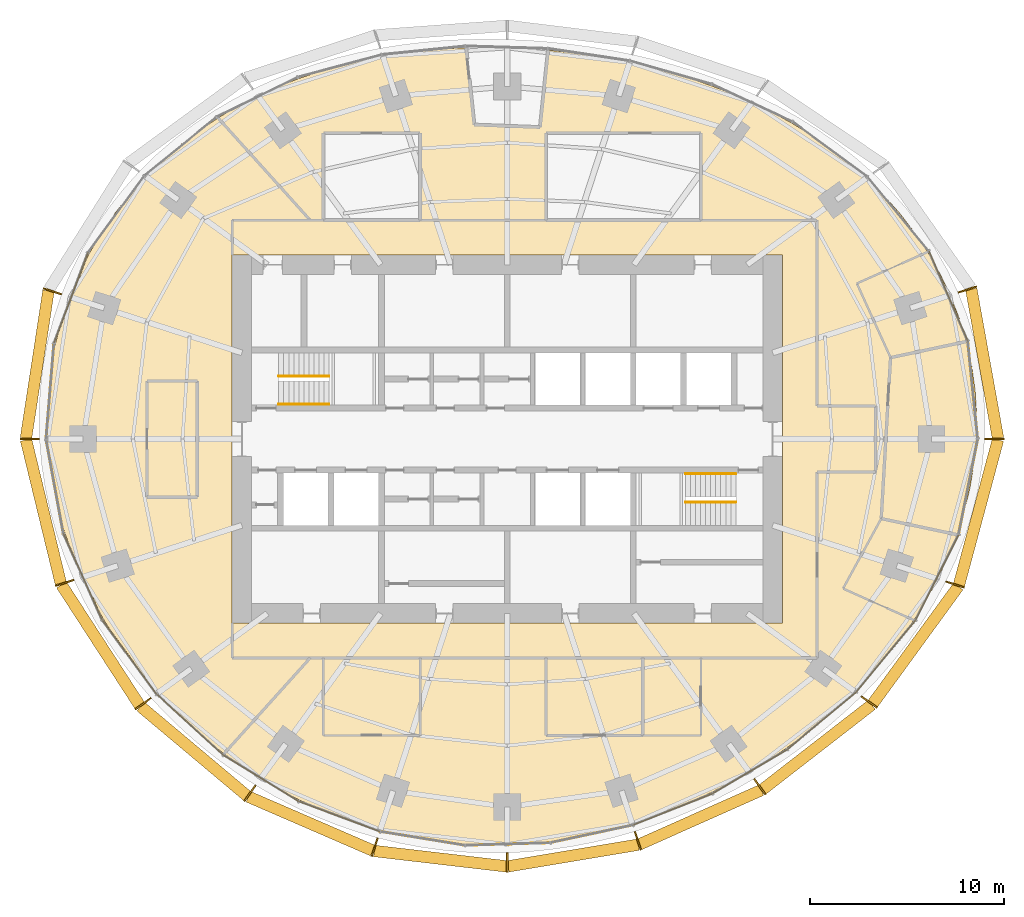
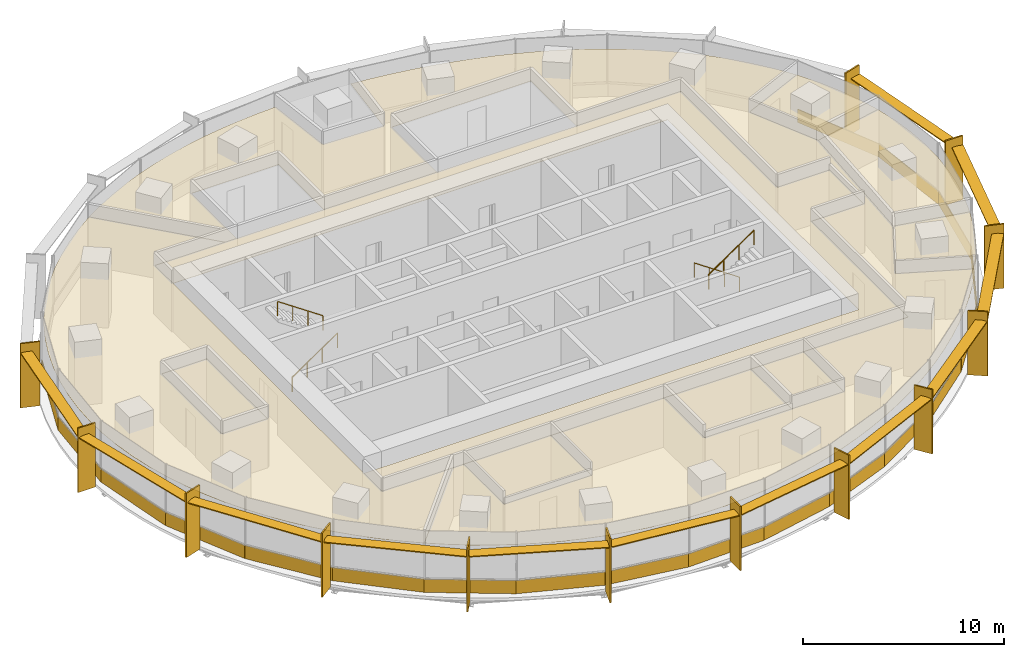
# One storey, part 14 of 15: 29 coverings, 25 shading devices, 4 railings.
"""IFC4 building model written with IfcOpenShell, lengths in metres."""

from ifc_helpers import new_model, si_unit, direction, frame, origin, origin_2d, place, context, subcontext, project, spatial, polyline, rectangle, circle, outline, extrude, material, layer, layer_set, type_object, element, save


model = new_model("IFC4")

# Units and contexts
model_context = context("Model", 3, precision=1e-05, world=origin(), true_north=direction((0.0, 1.0)))
body_context = subcontext(model_context, "Body", "Model", "MODEL_VIEW")
ifc_project = project(units=[si_unit("LENGTHUNIT", "METRE"), si_unit("AREAUNIT", "SQUARE_METRE"), si_unit("VOLUMEUNIT", "CUBIC_METRE"), si_unit("PLANEANGLEUNIT", "RADIAN"), si_unit("MASSUNIT", "GRAM", prefix="KILO")], contexts=[model_context])

# Site, building, storey
site_placement = place(None, origin())
site = spatial("IfcSite", under=ifc_project, at=site_placement, CompositionType="ELEMENT")
building_placement = place(site_placement, origin())
building = spatial("IfcBuilding", under=site, at=building_placement, Name="Marramba Exchange Tower", CompositionType="ELEMENT")
storey_placement = place(building_placement, frame((0.0, 0.0, 207.199951171875)))
storey = spatial("IfcBuildingStorey", under=building, at=storey_placement, Name="L50", CompositionType="ELEMENT", Elevation=207.199951171875)

# Shading devices
ifc_material_1 = material(Name="Aluminium blade, timber-look bronze finish", Category="wood")
ifc_layer_1 = layer(ifc_material_1, 0.080078125)
ifc_layer_set_1 = layer_set([ifc_layer_1], Name="Floor-edge blade 1000x80")
shading_device_type_1 = type_object("IfcShadingDeviceType", Name="Floor-edge blade 1000x80", PredefinedType="USERDEFINED", material=ifc_layer_set_1)
for number, where, z_axis, x_axis, name in (
    (1, (25.14404296875, 0.0, -0.159912109375), (0.0, 0.0, 1.0), (1.0, 0.0, 0.0), "Floor-edge blade FB1 L50 TC01"),
    (2, (23.757080078125, 7.718994140625, -0.159912109375), (0.0, 0.0, 1.0), (0.951056516295, 0.309016994375, 0.0), "Floor-edge blade FB1 L50 TC02"),
    (3, (-23.488525390625, 7.6318359375, -0.159912109375), (0.0, 0.0, 1.0), (-0.951056516295, 0.309016994375, 0.0), "Floor-edge blade FB1 L50 TC10"),
    (4, (-24.656005859375, 0.0, -0.159912109375), (0.0, 0.0, 1.0), (-1.0, 0.0, 0.0), "Floor-edge blade FB1 L50 TC11"),
    (5, (-22.848876953125, -7.424072265625, -0.159912109375), (0.0, 0.0, 1.0), (-0.951056516295, -0.309016994375, 0.0), "Floor-edge blade FB1 L50 TC12"),
    (6, (-18.7998046875, -13.658935546875, -0.159912109375), (0.0, 0.0, 1.0), (-0.809016994375, -0.587785252292, 0.0), "Floor-edge blade FB1 L50 TC13"),
    (7, (-13.2841796875, -18.2841796875, -0.159912109375), (0.0, 0.0, 1.0), (-0.587785252292, -0.809016994375, 0.0), "Floor-edge blade FB1 L50 TC14"),
    (8, (-6.845703125, -21.069091796875, -0.159912109375), (0.0, 0.0, 1.0), (-0.309016994375, -0.951056516295, 0.0), "Floor-edge blade FB1 L50 TC15"),
    (9, (0.0, -21.86376953125, -0.159912109375), (0.0, 0.0, 1.0), (0.0, -1.0, 0.0), "Floor-edge blade FB1 L50 TC16"),
    (10, (6.739501953125, -20.741943359375, -0.159912109375), (0.0, 0.0, 1.0), (0.309016994375, -0.951056516295, 0.0), "Floor-edge blade FB1 L50 TC17"),
    (11, (13.0380859375, -17.9453125, -0.159912109375), (0.0, 0.0, 1.0), (0.587785252292, -0.809016994375, 0.0), "Floor-edge blade FB1 L50 TC18"),
    (12, (18.6845703125, -13.5751953125, -0.159912109375), (0.0, 0.0, 1.0), (0.809016994375, -0.587785252292, 0.0), "Floor-edge blade FB1 L50 TC19"),
    (13, (23.1171875, -7.51123046875, -0.159912109375), (0.0, 0.0, 1.0), (0.951056516295, -0.309016994375, 0.0), "Floor-edge blade FB1 L50 TC20"),
):
    element("IfcShadingDevice", number, at=place(storey_placement, frame(where, z_axis=z_axis, x_axis=x_axis)), inside=storey, type_object=shading_device_type_1, Name=name, ObjectType="FIN", PredefinedType="USERDEFINED", context=body_context, shape_type="SweptSolid", body=[
        extrude(rectangle(XDim=1.0, YDim=0.080078125, at=origin_2d()), origin(), (0.0, 0.0, 1.0), 3.89990234375),
    ])
ifc_material_2 = material(Name="Aluminium sunshade, bronze anodised", Category="aluminium")
ifc_layer_2 = layer(ifc_material_2, 0.06005859375)
ifc_layer_set_2 = layer_set([ifc_layer_2], Name="SUNSHADE blade 600x60")
shading_device_type_2 = type_object("IfcShadingDeviceType", Name="SUNSHADE blade 600x60", PredefinedType="USERDEFINED", material=ifc_layer_set_2)
shading_device_1_placement = place(storey_placement, frame((24.6455078125, 3.890380859375, 3.159912109375), z_axis=(0.0, 0.0, 1.0), x_axis=(-0.176690623809, 0.984266439262, 0.0)))
element("IfcShadingDevice", 14, at=shading_device_1_placement, inside=storey, type_object=shading_device_type_2, Name="Sunshade SS1 L50 bay 01", ObjectType="SUNSHADE", PredefinedType="USERDEFINED", context=body_context, shape_type="SweptSolid", body=[
    extrude(rectangle(XDim=7.8251953125, YDim=0.60009765625, at=origin_2d()), origin(), (0.0, 0.0, 1.0), 0.06005859375),
])
shading_device_2_placement = place(storey_placement, frame((-24.267333984375, 3.846923828125, 3.159912109375), z_axis=(0.0, 0.0, 1.0), x_axis=(-0.151240669327, -0.988496970123, 0.0)))
element("IfcShadingDevice", 15, at=shading_device_2_placement, inside=storey, type_object=shading_device_type_2, Name="Sunshade SS1 L50 bay 10", ObjectType="SUNSHADE", PredefinedType="USERDEFINED", context=body_context, shape_type="SweptSolid", body=[
    extrude(rectangle(XDim=7.703369140625, YDim=0.60009765625, at=origin_2d()), origin(), (0.0, 0.0, 1.0), 0.06005859375),
])
shading_device_3_placement = place(storey_placement, frame((-23.947509765625, -3.742919921875, 3.159912109375), z_axis=(0.0, 0.0, 1.0), x_axis=(0.235861488454, -0.971786683519, 0.0)))
element("IfcShadingDevice", 16, at=shading_device_3_placement, inside=storey, type_object=shading_device_type_2, Name="Sunshade SS1 L50 bay 11", ObjectType="SUNSHADE", PredefinedType="USERDEFINED", context=body_context, shape_type="SweptSolid", body=[
    extrude(rectangle(XDim=7.623291015625, YDim=0.60009765625, at=origin_2d()), origin(), (0.0, 0.0, 1.0), 0.06005859375),
])
shading_device_4_placement = place(storey_placement, frame((-21.000244140625, -10.631103515625, 3.159912109375), z_axis=(0.0, 0.0, 1.0), x_axis=(0.543921771105, -0.839135928749, 0.0)))
element("IfcShadingDevice", 17, at=shading_device_4_placement, inside=storey, type_object=shading_device_type_2, Name="Sunshade SS1 L50 bay 12", ObjectType="SUNSHADE", PredefinedType="USERDEFINED", context=body_context, shape_type="SweptSolid", body=[
    extrude(rectangle(XDim=7.41650390625, YDim=0.60009765625, at=origin_2d()), origin(), (0.0, 0.0, 1.0), 0.06005859375),
])
shading_device_5_placement = place(storey_placement, frame((-16.181640625, -16.111083984375, 3.159912109375), z_axis=(0.0, 0.0, 1.0), x_axis=(0.765761970568, -0.643124097225, 0.0)))
element("IfcShadingDevice", 18, at=shading_device_5_placement, inside=storey, type_object=shading_device_type_2, Name="Sunshade SS1 L50 bay 13", ObjectType="SUNSHADE", PredefinedType="USERDEFINED", context=body_context, shape_type="SweptSolid", body=[
    extrude(rectangle(XDim=7.1806640625, YDim=0.60009765625, at=origin_2d()), origin(), (0.0, 0.0, 1.0), 0.06005859375),
])
shading_device_6_placement = place(storey_placement, frame((-10.154541015625, -19.8525390625, 3.159912109375), z_axis=(0.0, 0.0, 1.0), x_axis=(0.917589256742, -0.397529817639, 0.0)))
element("IfcShadingDevice", 19, at=shading_device_6_placement, inside=storey, type_object=shading_device_type_2, Name="Sunshade SS1 L50 bay 14", ObjectType="SUNSHADE", PredefinedType="USERDEFINED", context=body_context, shape_type="SweptSolid", body=[
    extrude(rectangle(XDim=6.997314453125, YDim=0.60009765625, at=origin_2d()), origin(), (0.0, 0.0, 1.0), 0.06005859375),
])
shading_device_7_placement = place(storey_placement, frame((-3.453857421875, -21.66162109375, 3.159912109375), z_axis=(0.0, 0.0, 1.0), x_axis=(0.993288257497, -0.1156651958, 0.0)))
element("IfcShadingDevice", 20, at=shading_device_7_placement, inside=storey, type_object=shading_device_type_2, Name="Sunshade SS1 L50 bay 15", ObjectType="SUNSHADE", PredefinedType="USERDEFINED", context=body_context, shape_type="SweptSolid", body=[
    extrude(rectangle(XDim=6.874267578125, YDim=0.60009765625, at=origin_2d()), origin(), (0.0, 0.0, 1.0), 0.06005859375),
])
shading_device_8_placement = place(storey_placement, frame((3.400634765625, -21.498046875, 3.159912109375), z_axis=(0.0, 0.0, 1.0), x_axis=(0.986439622954, 0.164124557168, 0.0)))
element("IfcShadingDevice", 21, at=shading_device_8_placement, inside=storey, type_object=shading_device_type_2, Name="Sunshade SS1 L50 bay 16", ObjectType="SUNSHADE", PredefinedType="USERDEFINED", context=body_context, shape_type="SweptSolid", body=[
    extrude(rectangle(XDim=6.814697265625, YDim=0.60009765625, at=origin_2d()), origin(), (0.0, 0.0, 1.0), 0.06005859375),
])
shading_device_9_placement = place(storey_placement, frame((9.978515625, -19.519775390625, 3.159912109375), z_axis=(0.0, 0.0, 1.0), x_axis=(0.913771678576, 0.406228161792, 0.0)))
element("IfcShadingDevice", 22, at=shading_device_9_placement, inside=storey, type_object=shading_device_type_2, Name="Sunshade SS1 L50 bay 17", ObjectType="SUNSHADE", PredefinedType="USERDEFINED", context=body_context, shape_type="SweptSolid", body=[
    extrude(rectangle(XDim=6.8740234375, YDim=0.60009765625, at=origin_2d()), origin(), (0.0, 0.0, 1.0), 0.06005859375),
])
shading_device_10_placement = place(storey_placement, frame((16.0009765625, -15.89990234375, 3.159912109375), z_axis=(0.0, 0.0, 1.0), x_axis=(0.790133082515, 0.612935324414, 0.0)))
element("IfcShadingDevice", 23, at=shading_device_10_placement, inside=storey, type_object=shading_device_type_2, Name="Sunshade SS1 L50 bay 18", ObjectType="SUNSHADE", PredefinedType="USERDEFINED", context=body_context, shape_type="SweptSolid", body=[
    extrude(rectangle(XDim=7.122314453125, YDim=0.60009765625, at=origin_2d()), origin(), (0.0, 0.0, 1.0), 0.06005859375),
])
shading_device_11_placement = place(storey_placement, frame((21.076904296875, -10.6328125, 3.159912109375), z_axis=(0.0, 0.0, 1.0), x_axis=(0.589071758439, 0.808080728275, 0.0)))
element("IfcShadingDevice", 24, at=shading_device_11_placement, inside=storey, type_object=shading_device_type_2, Name="Sunshade SS1 L50 bay 19", ObjectType="SUNSHADE", PredefinedType="USERDEFINED", context=body_context, shape_type="SweptSolid", body=[
    extrude(rectangle(XDim=7.4931640625, YDim=0.60009765625, at=origin_2d()), origin(), (0.0, 0.0, 1.0), 0.06005859375),
])
shading_device_12_placement = place(storey_placement, frame((24.32568359375, -3.78662109375, 3.159912109375), z_axis=(0.0, 0.0, 1.0), x_axis=(0.259692365654, 0.965691397508, 0.0)))
element("IfcShadingDevice", 25, at=shading_device_12_placement, inside=storey, type_object=shading_device_type_2, Name="Sunshade SS1 L50 bay 20", ObjectType="SUNSHADE", PredefinedType="USERDEFINED", context=body_context, shape_type="SweptSolid", body=[
    extrude(rectangle(XDim=7.76220703125, YDim=0.60009765625, at=origin_2d()), origin(), (0.0, 0.0, 1.0), 0.06005859375),
])

# Coverings
ifc_material_3 = material(Name="Aluminium spandrel panel, bronze anodised, insulated", Category="aluminium")
ifc_layer_3 = layer(ifc_material_3, 0.050048828125)
ifc_layer_set_3 = layer_set([ifc_layer_3], Name="Spandrel panel 800")
covering_type_1 = type_object("IfcCoveringType", Name="Spandrel panel 800", PredefinedType="CLADDING", material=ifc_layer_set_3)
covering_1_placement = place(storey_placement, frame((24.036376953125, 2.527099609375, 0.0), z_axis=(0.0, 0.0, 1.0), x_axis=(-0.101422478545, 0.994843445395, 0.0)))
element("IfcCovering", 26, at=covering_1_placement, inside=storey, type_object=covering_type_1, Name="Spandrel panel SP1 L50 F01", PredefinedType="CLADDING", context=body_context, shape_type="SweptSolid", body=[
    extrude(rectangle(XDim=5.08056640625, YDim=0.050048828125, at=origin_2d()), origin(), (0.0, 0.0, 1.0), 0.800048828125),
])
covering_2_placement = place(storey_placement, frame((22.77734375, 7.374755859375, 0.0), z_axis=(0.0, 0.0, 1.0), x_axis=(-0.396193349205, 0.918167103552, 0.0)))
element("IfcCovering", 27, at=covering_2_placement, inside=storey, type_object=covering_type_1, Name="Spandrel panel SP1 L50 F02", PredefinedType="CLADDING", context=body_context, shape_type="SweptSolid", body=[
    extrude(rectangle(XDim=5.0546875, YDim=0.050048828125, at=origin_2d()), origin(), (0.0, 0.0, 1.0), 0.800048828125),
])
covering_3_placement = place(storey_placement, frame((-22.518798828125, 7.30419921875, 0.0), z_axis=(0.0, 0.0, 1.0), x_axis=(-0.351951514464, -0.936018232443, 0.0)))
element("IfcCovering", 28, at=covering_3_placement, inside=storey, type_object=covering_type_1, Name="Spandrel panel SP1 L50 F14", PredefinedType="CLADDING", context=body_context, shape_type="SweptSolid", body=[
    extrude(rectangle(XDim=4.981689453125, YDim=0.050048828125, at=origin_2d()), origin(), (0.0, 0.0, 1.0), 0.800048828125),
])
covering_4_placement = place(storey_placement, frame((-23.600830078125, 2.486328125, 0.0), z_axis=(0.0, 0.0, 1.0), x_axis=(-0.082280881776, -0.996609179415, 0.0)))
element("IfcCovering", 29, at=covering_4_placement, inside=storey, type_object=covering_type_1, Name="Spandrel panel SP1 L50 F15", PredefinedType="CLADDING", context=body_context, shape_type="SweptSolid", body=[
    extrude(rectangle(XDim=4.98974609375, YDim=0.050048828125, at=origin_2d()), origin(), (0.0, 0.0, 1.0), 0.800048828125),
])
covering_5_placement = place(storey_placement, frame((-23.359619140625, -2.43505859375, 0.0), z_axis=(0.0, 0.0, 1.0), x_axis=(0.180327442841, -0.983606635479, 0.0)))
element("IfcCovering", 30, at=covering_5_placement, inside=storey, type_object=covering_type_1, Name="Spandrel panel SP1 L50 F16", PredefinedType="CLADDING", context=body_context, shape_type="SweptSolid", body=[
    extrude(rectangle(XDim=4.951416015625, YDim=0.050048828125, at=origin_2d()), origin(), (0.0, 0.0, 1.0), 0.800048828125),
])
covering_6_placement = place(storey_placement, frame((-21.920654296875, -7.093994140625, 0.0), z_axis=(0.0, 0.0, 1.0), x_axis=(0.407557582153, -0.913179509861, 0.0)))
element("IfcCovering", 31, at=covering_6_placement, inside=storey, type_object=covering_type_1, Name="Spandrel panel SP1 L50 F17", PredefinedType="CLADDING", context=body_context, shape_type="SweptSolid", body=[
    extrude(rectangle(XDim=4.870361328125, YDim=0.050048828125, at=origin_2d()), origin(), (0.0, 0.0, 1.0), 0.800048828125),
])
covering_7_placement = place(storey_placement, frame((-19.520263671875, -11.238525390625, 0.0), z_axis=(0.0, 0.0, 1.0), x_axis=(0.591223097085, -0.80650805915, 0.0)))
element("IfcCovering", 32, at=covering_7_placement, inside=storey, type_object=covering_type_1, Name="Spandrel panel SP1 L50 F18", PredefinedType="CLADDING", context=body_context, shape_type="SweptSolid", body=[
    extrude(rectangle(XDim=4.762939453125, YDim=0.050048828125, at=origin_2d()), origin(), (0.0, 0.0, 1.0), 0.800048828125),
])
covering_8_placement = place(storey_placement, frame((-16.396240234375, -14.73193359375, 0.0), z_axis=(0.0, 0.0, 1.0), x_axis=(0.737203259599, -0.67567103981, 0.0)))
element("IfcCovering", 33, at=covering_8_placement, inside=storey, type_object=covering_type_1, Name="Spandrel panel SP1 L50 F19", PredefinedType="CLADDING", context=body_context, shape_type="SweptSolid", body=[
    extrude(rectangle(XDim=4.65478515625, YDim=0.050048828125, at=origin_2d()), origin(), (0.0, 0.0, 1.0), 0.800048828125),
])
covering_9_placement = place(storey_placement, frame((-12.73583984375, -17.497802734375, 0.0), z_axis=(0.0, 0.0, 1.0), x_axis=(0.852301010692, -0.52305161043, 0.0)))
element("IfcCovering", 34, at=covering_9_placement, inside=storey, type_object=covering_type_1, Name="Spandrel panel SP1 L50 F20", PredefinedType="CLADDING", context=body_context, shape_type="SweptSolid", body=[
    extrude(rectangle(XDim=4.563232421875, YDim=0.050048828125, at=origin_2d()), origin(), (0.0, 0.0, 1.0), 0.800048828125),
])
covering_10_placement = place(storey_placement, frame((-8.687255859375, -19.47607421875, 0.0), z_axis=(0.0, 0.0, 1.0), x_axis=(0.936951581946, -0.349459200892, 0.0)))
element("IfcCovering", 35, at=covering_10_placement, inside=storey, type_object=covering_type_1, Name="Spandrel panel SP1 L50 F21", PredefinedType="CLADDING", context=body_context, shape_type="SweptSolid", body=[
    extrude(rectangle(XDim=4.491455078125, YDim=0.050048828125, at=origin_2d()), origin(), (0.0, 0.0, 1.0), 0.800048828125),
])
covering_11_placement = place(storey_placement, frame((-4.393798828125, -20.6181640625, 0.0), z_axis=(0.0, 0.0, 1.0), x_axis=(0.98693062179, -0.161145734582, 0.0)))
element("IfcCovering", 36, at=covering_11_placement, inside=storey, type_object=covering_type_1, Name="Spandrel panel SP1 L50 F22", PredefinedType="CLADDING", context=body_context, shape_type="SweptSolid", body=[
    extrude(rectangle(XDim=4.4365234375, YDim=0.050048828125, at=origin_2d()), origin(), (0.0, 0.0, 1.0), 0.800048828125),
])
covering_12_placement = place(storey_placement, frame((-0.0068359375, -20.9111328125, 0.0), z_axis=(0.0, 0.0, 1.0), x_axis=(0.99956791932, 0.02939344597, 0.0)))
element("IfcCovering", 37, at=covering_12_placement, inside=storey, type_object=covering_type_1, Name="Spandrel panel SP1 L50 F23", PredefinedType="CLADDING", context=body_context, shape_type="SweptSolid", body=[
    extrude(rectangle(XDim=4.3974609375, YDim=0.050048828125, at=origin_2d()), origin(), (0.0, 0.0, 1.0), 0.800048828125),
])
covering_13_placement = place(storey_placement, frame((4.333984375, -20.389892578125, 0.0), z_axis=(0.0, 0.0, 1.0), x_axis=(0.978058068956, 0.208332459664, 0.0)))
element("IfcCovering", 38, at=covering_13_placement, inside=storey, type_object=covering_type_1, Name="Spandrel panel SP1 L50 F24", PredefinedType="CLADDING", context=body_context, shape_type="SweptSolid", body=[
    extrude(rectangle(XDim=4.3818359375, YDim=0.050048828125, at=origin_2d()), origin(), (0.0, 0.0, 1.0), 0.800048828125),
])
covering_14_placement = place(storey_placement, frame((8.525390625, -19.124267578125, 0.0), z_axis=(0.0, 0.0, 1.0), x_axis=(0.93007301151, 0.367374731386, 0.0)))
element("IfcCovering", 39, at=covering_14_placement, inside=storey, type_object=covering_type_1, Name="Spandrel panel SP1 L50 F25", PredefinedType="CLADDING", context=body_context, shape_type="SweptSolid", body=[
    extrude(rectangle(XDim=4.405517578125, YDim=0.050048828125, at=origin_2d()), origin(), (0.0, 0.0, 1.0), 0.800048828125),
])
covering_15_placement = place(storey_placement, frame((12.50634765625, -17.175537109375, 0.0), z_axis=(0.0, 0.0, 1.0), x_axis=(0.861350829898, 0.508010578466, 0.0)))
element("IfcCovering", 40, at=covering_15_placement, inside=storey, type_object=covering_type_1, Name="Spandrel panel SP1 L50 F26", PredefinedType="CLADDING", context=body_context, shape_type="SweptSolid", body=[
    extrude(rectangle(XDim=4.486572265625, YDim=0.050048828125, at=origin_2d()), origin(), (0.0, 0.0, 1.0), 0.800048828125),
])
covering_16_placement = place(storey_placement, frame((16.2177734375, -14.5556640625, 0.0), z_axis=(0.0, 0.0, 1.0), x_axis=(0.768736803132, 0.639565264465, 0.0)))
element("IfcCovering", 41, at=covering_16_placement, inside=storey, type_object=covering_type_1, Name="Spandrel panel SP1 L50 F27", PredefinedType="CLADDING", context=body_context, shape_type="SweptSolid", body=[
    extrude(rectangle(XDim=4.628662109375, YDim=0.050048828125, at=origin_2d()), origin(), (0.0, 0.0, 1.0), 0.800048828125),
])
covering_17_placement = place(storey_placement, frame((19.529541015625, -11.2265625, 0.0), z_axis=(0.0, 0.0, 1.0), x_axis=(0.638149992226, 0.769912064733, 0.0)))
element("IfcCovering", 42, at=covering_17_placement, inside=storey, type_object=covering_type_1, Name="Spandrel panel SP1 L50 F28", PredefinedType="CLADDING", context=body_context, shape_type="SweptSolid", body=[
    extrude(rectangle(XDim=4.80322265625, YDim=0.050048828125, at=origin_2d()), origin(), (0.0, 0.0, 1.0), 0.800048828125),
])
covering_18_placement = place(storey_placement, frame((22.17919921875, -7.16455078125, 0.0), z_axis=(0.0, 0.0, 1.0), x_axis=(0.450673091404, 0.892689063832, 0.0)))
element("IfcCovering", 43, at=covering_18_placement, inside=storey, type_object=covering_type_1, Name="Spandrel panel SP1 L50 F29", PredefinedType="CLADDING", context=body_context, shape_type="SweptSolid", body=[
    extrude(rectangle(XDim=4.957763671875, YDim=0.050048828125, at=origin_2d()), origin(), (0.0, 0.0, 1.0), 0.800048828125),
])
covering_19_placement = place(storey_placement, frame((23.795166015625, -2.475830078125, 0.0), z_axis=(0.0, 0.0, 1.0), x_axis=(0.197495401381, 0.980303813332, 0.0)))
element("IfcCovering", 44, at=covering_19_placement, inside=storey, type_object=covering_type_1, Name="Spandrel panel SP1 L50 F30", PredefinedType="CLADDING", context=body_context, shape_type="SweptSolid", body=[
    extrude(rectangle(XDim=5.05126953125, YDim=0.050048828125, at=origin_2d()), origin(), (0.0, 0.0, 1.0), 0.800048828125),
])

# Railings
ifc_material_4 = material(Name="Stainless steel handrail", Category="steel")
railing_type = type_object("IfcRailingType", Name="Stair handrail 900", PredefinedType="HANDRAIL", material=ifc_material_4)
railing_1_placement = place(storey_placement, frame((-11.800048828125, 1.800048828125, 0.17724609375)))
element("IfcRailing", 45, at=railing_1_placement, inside=storey, type_object=railing_type, Name="Handrail HR1 ST1 L50 flight 1", PredefinedType="HANDRAIL", context=body_context, shape_type="SweptSolid", body=[
    extrude(circle(Radius=0.02392578125, at=origin_2d()), frame((0.0, 0.0, 0.8759765625), z_axis=(0.826240473404, 0.0, 0.563317565952), x_axis=(0.0, 1.0, 0.0)), (0.0, 0.0, 1.0), 3.14697265625),
    extrude(circle(Radius=0.02099609375, at=origin_2d()), origin(), (0.0, 0.0, 1.0), 0.851806640625),
    extrude(circle(Radius=0.02099609375, at=origin_2d()), frame((0.86669921875, 0.0, 0.5908203125)), (0.0, 0.0, 1.0), 0.851806640625),
    extrude(circle(Radius=0.02099609375, at=origin_2d()), frame((1.7333984375, 0.0, 1.181884765625)), (0.0, 0.0, 1.0), 0.851806640625),
    extrude(circle(Radius=0.02099609375, at=origin_2d()), frame((2.60009765625, 0.0, 1.772705078125)), (0.0, 0.0, 1.0), 0.851806640625),
])
for number, where, name in (
    (46, (-9.199951171875, 3.25, 2.12744140625), "Handrail HR1 ST1 L50 flight 2"),
    (47, (11.800048828125, -1.800048828125, 0.17724609375), "Handrail HR1 ST2 L50 flight 1"),
):
    element("IfcRailing", number, at=place(storey_placement, frame(where)), inside=storey, type_object=railing_type, Name=name, PredefinedType="HANDRAIL", context=body_context, shape_type="SweptSolid", body=[
        extrude(circle(Radius=0.02392578125, at=origin_2d()), frame((0.0, 0.0, 0.8759765625), z_axis=(-0.826240473404, 0.0, 0.563317565952), x_axis=(0.0, -1.0, 0.0)), (0.0, 0.0, 1.0), 3.14697265625),
        extrude(circle(Radius=0.02099609375, at=origin_2d()), origin(), (0.0, 0.0, 1.0), 0.851806640625),
        extrude(circle(Radius=0.02099609375, at=origin_2d()), frame((-0.86669921875, 0.0, 0.5908203125)), (0.0, 0.0, 1.0), 0.851806640625),
        extrude(circle(Radius=0.02099609375, at=origin_2d()), frame((-1.7333984375, 0.0, 1.181884765625)), (0.0, 0.0, 1.0), 0.851806640625),
        extrude(circle(Radius=0.02099609375, at=origin_2d()), frame((-2.60009765625, 0.0, 1.772705078125)), (0.0, 0.0, 1.0), 0.851806640625),
    ])
railing_2_placement = place(storey_placement, frame((9.199951171875, -3.25, 2.12744140625)))
element("IfcRailing", 48, at=railing_2_placement, inside=storey, type_object=railing_type, Name="Handrail HR1 ST2 L50 flight 2", PredefinedType="HANDRAIL", context=body_context, shape_type="SweptSolid", body=[
    extrude(circle(Radius=0.02392578125, at=origin_2d()), frame((0.0, 0.0, 0.8759765625), z_axis=(0.826240473404, 0.0, 0.563317565952), x_axis=(0.0, 1.0, 0.0)), (0.0, 0.0, 1.0), 3.14697265625),
    extrude(circle(Radius=0.02099609375, at=origin_2d()), origin(), (0.0, 0.0, 1.0), 0.851806640625),
    extrude(circle(Radius=0.02099609375, at=origin_2d()), frame((0.86669921875, 0.0, 0.5908203125)), (0.0, 0.0, 1.0), 0.851806640625),
    extrude(circle(Radius=0.02099609375, at=origin_2d()), frame((1.7333984375, 0.0, 1.181884765625)), (0.0, 0.0, 1.0), 0.851806640625),
    extrude(circle(Radius=0.02099609375, at=origin_2d()), frame((2.60009765625, 0.0, 1.772705078125)), (0.0, 0.0, 1.0), 0.851806640625),
])

# Coverings
ifc_material_5 = material(Name="Mineral fibre ceiling tiles", Category="gypsum")
ifc_layer_4 = layer(ifc_material_5, 0.02001953125)
ifc_layer_set_4 = layer_set([ifc_layer_4], Name="Suspended ceiling 20")
covering_type_2 = type_object("IfcCoveringType", Name="Suspended ceiling 20", PredefinedType="CEILING", material=ifc_layer_set_4)
covering_20_placement = place(storey_placement, frame((0.0, 0.0, 2.900146484375)))
element("IfcCovering", 49, at=covering_20_placement, inside=storey, type_object=covering_type_2, Name="Ceiling CL1 L50 Open Plan Office 1", PredefinedType="CEILING", context=body_context, shape_type="SweptSolid", body=[
    extrude(outline(polyline([(16.0, -1.699951171875), (19.0, -1.699951171875), (19.0, 1.699951171875), (16.0, 1.699951171875), (16.0, 11.300048828125), (10.0, 11.300048828125), (10.0, 15.800048828125), (2.0, 15.800048828125), (2.0, 11.300048828125), (-4.5, 11.300048828125), (-4.5, 15.800048828125), (-9.5, 15.800048828125), (-9.5, 11.300048828125), (-10.174560546875, 11.300048828125), (-14.931396484375, 16.5830078125), (-13.914794921875, 17.183349609375), (-12.8759765625, 17.722412109375), (-11.820068359375, 18.201171875), (-10.75146484375, 18.621826171875), (-9.67431640625, 18.98681640625), (-8.59228515625, 19.29833984375), (-7.50830078125, 19.559326171875), (-6.424560546875, 19.77294921875), (-5.34326171875, 19.941650390625), (-4.265625, 20.068603515625), (-3.1923828125, 20.15625), (-2.123779296875, 20.20703125), (-1.705810546875, 16.22900390625), (1.692138671875, 16.099609375), (2.1103515625, 20.077880859375), (3.16259765625, 19.96728515625), (4.214111328125, 19.82568359375), (5.265869140625, 19.65234375), (6.318359375, 19.445556640625), (7.371826171875, 19.2041015625), (8.426025390625, 18.92529296875), (9.480712890625, 18.60693359375), (10.5341796875, 18.245849609375), (11.584716796875, 17.839111328125), (12.6298828125, 17.383544921875), (13.666259765625, 16.87646484375), (14.689453125, 16.314453125), (15.695068359375, 15.695068359375), (16.67724609375, 15.016357421875), (17.6298828125, 14.276611328125), (18.54638671875, 13.474853515625), (19.41943359375, 12.611083984375), (20.24169921875, 11.6865234375), (21.00537109375, 10.70263671875), (21.702880859375, 9.662841796875), (18.048828125, 8.035888671875), (19.787841796875, 4.2060546875), (19.3056640625, -4.103515625), (17.334716796875, -7.718017578125), (20.989013671875, -9.344970703125), (20.286865234375, -10.336669921875), (19.539794921875, -11.28125), (18.753173828125, -12.178466796875), (17.93212890625, -13.028564453125), (17.08154296875, -13.832275390625), (16.204833984375, -14.5908203125), (15.30517578125, -15.30517578125), (14.38525390625, -15.976318359375), (13.44677734375, -16.60546875), (12.491455078125, -17.193115234375), (11.520263671875, -17.73974609375), (10.5341796875, -18.245849609375), (9.53369140625, -18.711181640625), (8.51953125, -19.13525390625), (7.4921875, -19.517578125), (6.4521484375, -19.857421875), (5.400146484375, -20.153564453125), (4.337158203125, -20.404541015625), (3.26416015625, -20.609619140625), (2.1826171875, -20.766845703125), (1.093994140625, -20.875244140625), (0.0, -20.93359375), (-1.097412109375, -20.94091796875), (-2.1962890625, -20.89599609375), (-3.294189453125, -20.79833984375), (-4.388916015625, -20.6474609375), (-5.477783203125, -20.44287109375), (-6.558349609375, -20.184814453125), (-7.62841796875, -19.873046875), (-8.685546875, -19.50830078125), (-9.727294921875, -19.091064453125), (-10.75146484375, -18.621826171875), (-11.755615234375, -18.101806640625), (-12.737548828125, -17.53173828125), (-13.6953125, -16.912353515625), (-14.626953125, -16.2451171875), (-10.174560546875, -11.300048828125), (-9.5, -11.300048828125), (-9.5, -15.300048828125), (-4.5, -15.300048828125), (-4.5, -11.300048828125), (2.0, -11.300048828125), (2.0, -15.300048828125), (7.0, -15.300048828125), (10.0, -15.300048828125), (10.0, -11.300048828125), (16.0, -11.300048828125), (16.0, -1.699951171875)])), origin(), (0.0, 0.0, 1.0), 0.02001953125),
])
covering_21_placement = place(storey_placement, frame((0.0, 0.0, 2.900146484375)))
element("IfcCovering", 50, at=covering_21_placement, inside=storey, type_object=covering_type_2, Name="Ceiling CL1 L50 Open Plan Office 2", PredefinedType="CEILING", context=body_context, shape_type="SweptSolid", body=[
    extrude(outline(polyline([(-16.403076171875, -14.769287109375), (-17.242919921875, -13.962890625), (-18.04736328125, -13.1123046875), (-18.81396484375, -12.218017578125), (-19.539794921875, -11.28125), (-20.22119140625, -10.30322265625), (-20.85498046875, -9.285400390625), (-21.4375, -8.22900390625), (-21.96435546875, -7.13671875), (-22.431640625, -6.010498046875), (-22.8349609375, -4.853759765625), (-23.169921875, -3.669677734375), (-23.432373046875, -2.462890625), (-23.618896484375, -1.23779296875), (-23.72607421875, 0.0), (-23.7509765625, 1.24462890625), (-23.691650390625, 2.489990234375), (-23.547119140625, 3.7294921875), (-23.317138671875, 4.956298828125), (-23.002197265625, 6.163330078125), (-22.604248046875, 7.344482421875), (-22.125244140625, 8.4931640625), (-21.569091796875, 9.603271484375), (-20.939697265625, 10.669189453125), (-20.24169921875, 11.6865234375), (-19.48046875, 12.650634765625), (-18.66162109375, 13.55859375), (-17.79150390625, 14.4072265625), (-16.87548828125, 15.19482421875), (-15.920166015625, 15.920166015625), (-14.931396484375, 16.5830078125), (-10.174560546875, 11.300048828125), (-14.199951171875, 11.300048828125), (-14.199951171875, 9.5), (-14.199951171875, -9.5), (-14.199951171875, -11.300048828125), (-10.174560546875, -11.300048828125), (-11.73291015625, -13.03076171875), (-14.626953125, -16.2451171875), (-15.5302734375, -15.5302734375), (-16.403076171875, -14.769287109375)]), holes=[polyline([(-16.0, 3.0), (-18.60009765625, 3.0), (-18.60009765625, -3.0), (-16.0, -3.0), (-16.0, 3.0)])]), origin(), (0.0, 0.0, 1.0), 0.02001953125),
])
covering_22_placement = place(storey_placement, frame((0.0, 0.0, 2.900146484375)))
element("IfcCovering", 51, at=covering_22_placement, inside=storey, type_object=covering_type_2, Name="Ceiling CL1 L50 Corridor", PredefinedType="CEILING", context=body_context, shape_type="SweptSolid", body=[
    extrude(outline(polyline([(19.0, -1.699951171875), (16.0, -1.699951171875), (16.0, -11.300048828125), (-14.199951171875, -11.300048828125), (-14.199951171875, -9.5), (14.199951171875, -9.5), (14.199951171875, -1.699951171875), (14.199951171875, 1.699951171875), (14.199951171875, 9.5), (-14.199951171875, 9.5), (-14.199951171875, 11.300048828125), (16.0, 11.300048828125), (16.0, 1.699951171875), (19.0, 1.699951171875), (19.0, -1.699951171875)])), origin(), (0.0, 0.0, 1.0), 0.02001953125),
])
covering_23_placement = place(storey_placement, frame((0.0, 0.0, 2.900146484375)))
element("IfcCovering", 52, at=covering_23_placement, inside=storey, type_object=covering_type_2, Name="Ceiling CL1 L50 Office 1", PredefinedType="CEILING", context=body_context, shape_type="SweptSolid", body=[
    extrude(outline(polyline([(22.32763671875, 8.57080078125), (22.87255859375, 7.431640625), (23.109375, 6.822998046875), (23.331787109375, 6.251708984375), (23.700439453125, 5.03759765625), (19.787841796875, 4.2060546875), (18.048828125, 8.035888671875), (21.702880859375, 9.662841796875), (22.32763671875, 8.57080078125)])), origin(), (0.0, 0.0, 1.0), 0.02001953125),
])
covering_24_placement = place(storey_placement, frame((0.0, 0.0, 2.900146484375)))
element("IfcCovering", 53, at=covering_24_placement, inside=storey, type_object=covering_type_2, Name="Ceiling CL1 L50 Office 2", PredefinedType="CEILING", context=body_context, shape_type="SweptSolid", body=[
    extrude(outline(polyline([(22.760986328125, -6.098876953125), (22.62744140625, -6.383544921875), (22.23291015625, -7.223876953125), (21.7080078125, -8.18212890625), (21.639892578125, -8.306884765625), (20.989013671875, -9.344970703125), (17.334716796875, -7.718017578125), (19.3056640625, -4.103515625), (23.218017578125, -4.935302734375), (22.760986328125, -6.098876953125)])), origin(), (0.0, 0.0, 1.0), 0.02001953125),
])
covering_25_placement = place(storey_placement, frame((0.0, 0.0, 2.900146484375)))
element("IfcCovering", 54, at=covering_25_placement, inside=storey, type_object=covering_type_2, Name="Ceiling CL1 L50 Meeting Room 1", PredefinedType="CEILING", context=body_context, shape_type="SweptSolid", body=[
    extrude(outline(polyline([(23.80322265625, 4.5732421875), (23.974853515625, 3.797119140625), (24.15234375, 2.53857421875), (24.23193359375, 1.27001953125), (24.214111328125, 0.0), (24.10009765625, -1.262939453125), (23.89306640625, -2.51123046875), (23.800048828125, -2.897705078125), (23.597412109375, -3.737548828125), (23.35009765625, -4.518310546875), (23.218017578125, -4.935302734375), (19.3056640625, -4.103515625), (19.787841796875, 4.2060546875), (23.700439453125, 5.03759765625), (23.80322265625, 4.5732421875)])), origin(), (0.0, 0.0, 1.0), 0.02001953125),
])
covering_26_placement = place(storey_placement, frame((0.0, 0.0, 2.900146484375)))
element("IfcCovering", 55, at=covering_26_placement, inside=storey, type_object=covering_type_2, Name="Ceiling CL1 L50 Meeting Room 3", PredefinedType="CEILING", context=body_context, shape_type="SweptSolid", body=[
    extrude(outline(polyline([(7.0, -15.300048828125), (2.0, -15.300048828125), (2.0, -11.300048828125), (7.0, -11.300048828125), (7.0, -15.300048828125)])), origin(), (0.0, 0.0, 1.0), 0.02001953125),
])
covering_27_placement = place(storey_placement, frame((0.0, 0.0, 2.900146484375)))
element("IfcCovering", 56, at=covering_27_placement, inside=storey, type_object=covering_type_2, Name="Ceiling CL1 L50 Pantry 1", PredefinedType="CEILING", context=body_context, shape_type="SweptSolid", body=[
    extrude(outline(polyline([(10.0, -15.300048828125), (7.0, -15.300048828125), (7.0, -11.300048828125), (10.0, -11.300048828125), (10.0, -15.300048828125)])), origin(), (0.0, 0.0, 1.0), 0.02001953125),
])
covering_28_placement = place(storey_placement, frame((0.0, 0.0, 2.900146484375)))
element("IfcCovering", 57, at=covering_28_placement, inside=storey, type_object=covering_type_2, Name="Ceiling CL1 L50 Pantry 2", PredefinedType="CEILING", context=body_context, shape_type="SweptSolid", body=[
    extrude(outline(polyline([(-4.5, -15.300048828125), (-9.5, -15.300048828125), (-9.5, -11.300048828125), (-4.5, -11.300048828125), (-4.5, -15.300048828125)])), origin(), (0.0, 0.0, 1.0), 0.02001953125),
])
covering_29_placement = place(storey_placement, frame((0.0, 0.0, 2.900146484375)))
element("IfcCovering", 58, at=covering_29_placement, inside=storey, type_object=covering_type_2, Name="Ceiling CL1 L50 Quiet Room 2", PredefinedType="CEILING", context=body_context, shape_type="SweptSolid", body=[
    extrude(outline(polyline([(-16.0, -3.0), (-18.60009765625, -3.0), (-18.60009765625, 3.0), (-16.0, 3.0), (-16.0, -3.0)])), origin(), (0.0, 0.0, 1.0), 0.02001953125),
])

save(model, "model.ifc")
